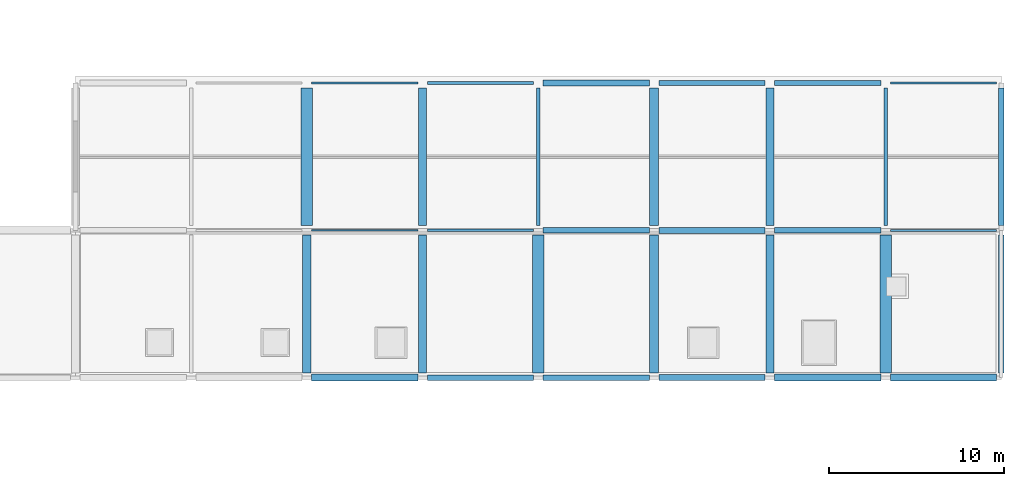
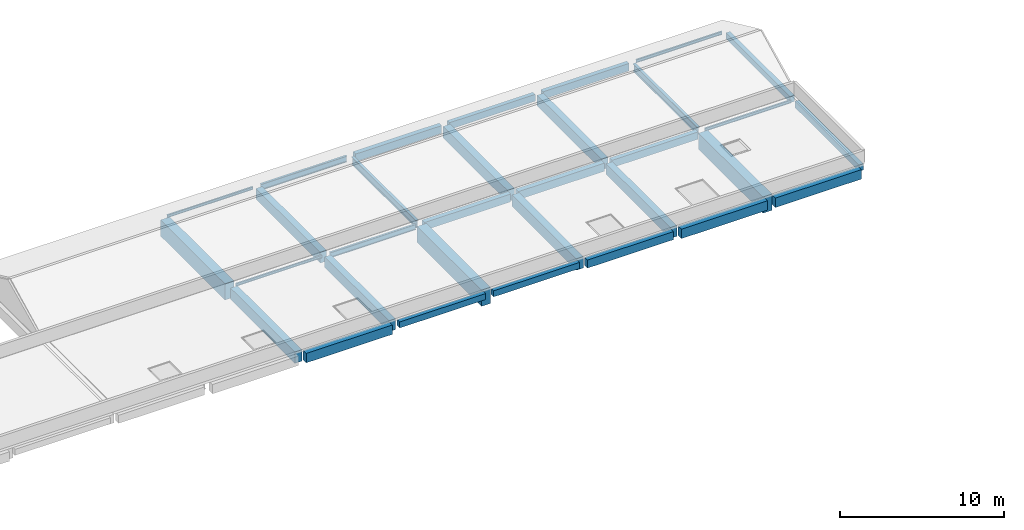
# One storey, part 81 of 124: 32 beams.
"""IFC4 building model written with IfcOpenShell, lengths in metres."""

import ifcopenshell
import ifcopenshell.guid

model = None  # the IFC model being written
_history = None  # IfcOwnerHistory: only IFC2X3 demands one
_inside = {}  # id of a spatial element -> (the spatial element, [elements in it])
_under = {}  # id of a project, library or spatial element -> (it, [spatial elements below it])
_declared = {}  # id of a project -> (the project, [libraries it declares])
_typed = {}  # id of a type object -> (the type object, [elements of that type])
_made_of = {}  # id of a material, layer set ... -> (it, [elements and type objects made of it])


def new_model(schema):
    """Start an empty IFC model of exactly this schema.

    Asked for "IFC4X3", IfcOpenShell would pick the latest addendum, in which some entities
    have other attributes; the version numbers below select the first issue.
    IFC2X3 requires an IfcOwnerHistory on every rooted entity: one is made here for all.
    """
    global model, _history
    if schema == "IFC4X3":
        model = ifcopenshell.file(schema_version=(4, 3, 0, 0))
    else:
        model = ifcopenshell.file(schema=schema)
    _inside.clear()
    _under.clear()
    _declared.clear()
    _typed.clear()
    _made_of.clear()
    _history = None
    if model.schema == "IFC2X3":
        org = make("IfcOrganization", Name="unknown")
        user = make(
            "IfcPersonAndOrganization",
            ThePerson=make("IfcPerson", FamilyName="unknown"),
            TheOrganization=org,
        )
        app = make(
            "IfcApplication",
            ApplicationDeveloper=org,
            Version="unknown",
            ApplicationFullName="unknown",
            ApplicationIdentifier="unknown",
        )
        _history = make(
            "IfcOwnerHistory",
            OwningUser=user,
            OwningApplication=app,
            ChangeAction="ADDED",
            CreationDate=0,
        )
    return model


def make(cls, **values):
    """One entity of the class cls with the attributes given. An attribute that is None is left unset."""
    return model.create_entity(
        cls, **{name: value for name, value in values.items() if value is not None}
    )


def rooted(cls, **values):
    """An entity with a GlobalId (a new one), such as an element, a storey or a relation."""
    return make(cls, GlobalId=ifcopenshell.guid.new(), OwnerHistory=_history, **values)


def si_unit(unit_type, name, prefix=None):
    """IfcSIUnit, for example si_unit("LENGTHUNIT", "METRE", prefix="MILLI")."""
    return make("IfcSIUnit", UnitType=unit_type, Prefix=prefix, Name=name)


def assignment(units):
    """IfcUnitAssignment: the units of a project."""
    return None if units is None else make("IfcUnitAssignment", Units=units)


def point(xyz):
    """IfcCartesianPoint."""
    return None if xyz is None else make("IfcCartesianPoint", Coordinates=xyz)


def direction(xyz):
    """IfcDirection."""
    return None if xyz is None else make("IfcDirection", DirectionRatios=xyz)


def frame(location, z_axis=None, x_axis=None):
    """IfcAxis2Placement3D, a coordinate frame: its origin and axes. An axis left out is left unset."""
    return make(
        "IfcAxis2Placement3D",
        Location=point(location),
        Axis=direction(z_axis),
        RefDirection=direction(x_axis),
    )


def frame_2d(location, x_axis=None):
    """IfcAxis2Placement2D, a coordinate frame in the plane: its origin and x axis."""
    return make(
        "IfcAxis2Placement2D", Location=point(location), RefDirection=direction(x_axis)
    )


def origin():
    """The frame at (0, 0, 0) with its axes left unset."""
    return frame((0.0, 0.0, 0.0))


def origin_2d():
    """The frame at (0, 0) in the plane with its x axis left unset."""
    return frame_2d((0.0, 0.0))


def place(relative_to, where):
    """IfcLocalPlacement: puts the frame where relative to a parent placement (None: the world)."""
    return make(
        "IfcLocalPlacement", PlacementRelTo=relative_to, RelativePlacement=where
    )


def context(
    kind, dimensions, precision=None, world=None, true_north=None, identifier=None
):
    """IfcGeometricRepresentationContext, for example the 3D "Model" context."""
    return make(
        "IfcGeometricRepresentationContext",
        ContextIdentifier=identifier,
        ContextType=kind,
        CoordinateSpaceDimension=dimensions,
        Precision=precision,
        WorldCoordinateSystem=world,
        TrueNorth=true_north,
    )


def subcontext(parent, identifier, kind, view, scale=None):
    """IfcGeometricRepresentationSubContext, for example "Body" below "Model"."""
    return make(
        "IfcGeometricRepresentationSubContext",
        ContextIdentifier=identifier,
        ContextType=kind,
        ParentContext=parent,
        TargetScale=scale,
        TargetView=view,
    )


def project(units=None, contexts=None):
    """IfcProject with its units and contexts."""
    return rooted(
        "IfcProject",
        Name="project",
        RepresentationContexts=contexts,
        UnitsInContext=assignment(units),
    )


def spatial(cls, under=None, at=None, **own):
    """A site, building, storey or space (cls), placed at a placement, below another one or the project."""
    s = rooted(cls, ObjectPlacement=at, **own)
    if under is not None:
        _under.setdefault(under.id(), (under, []))[1].append(s)
    return s


def profile(cls, at=None, kind="AREA", **sizes):
    """A parametric profile (cls). Its sizes go by their IFC names, for example OverallWidth=200.0."""
    return make(cls, ProfileType=kind, Position=at, **sizes)


def rectangle(**sizes):
    """IfcRectangleProfileDef."""
    return profile("IfcRectangleProfileDef", **sizes)


def i_section(**sizes):
    """IfcIShapeProfileDef."""
    return profile("IfcIShapeProfileDef", **sizes)


def extrude(swept, where, along, depth):
    """IfcExtrudedAreaSolid: the profile swept, set in the frame where, extruded along a direction by depth."""
    return make(
        "IfcExtrudedAreaSolid",
        SweptArea=swept,
        Position=where,
        ExtrudedDirection=direction(along),
        Depth=depth,
    )


def shape(context_of_items, identifier, shape_type, items):
    """IfcShapeRepresentation: the items that make up one representation, for example the "Body"."""
    return make(
        "IfcShapeRepresentation",
        ContextOfItems=context_of_items,
        RepresentationIdentifier=identifier,
        RepresentationType=shape_type,
        Items=items,
    )


def material(Name=None, Category=None):
    """IfcMaterial."""
    return make("IfcMaterial", Name=Name, Category=Category)


def material_profile(
    of_material, cross_section, Name=None, Category=None, Priority=None
):
    """IfcMaterialProfile: a cross section and its material."""
    return make(
        "IfcMaterialProfile",
        Name=Name,
        Material=of_material,
        Profile=cross_section,
        Priority=Priority,
        Category=Category,
    )


def profile_set(profiles, Name=None, composite=None):
    """IfcMaterialProfileSet."""
    return make(
        "IfcMaterialProfileSet",
        Name=Name,
        MaterialProfiles=profiles,
        CompositeProfile=composite,
    )


def made_of(thing, what):
    """Note that an element or type object is made of a material, layer set ...; save() writes the relation."""
    if what is not None:
        _made_of.setdefault(what.id(), (what, []))[1].append(thing)
    return thing


def type_object(cls, material=None, **own):
    """A type object (cls), such as IfcWallType, which elements share."""
    return made_of(rooted(cls, **own), material)


def element(
    cls,
    number,
    at=None,
    inside=None,
    cuts=None,
    type_object=None,
    material=None,
    context=None,
    identifier="Body",
    shape_type=None,
    held_by="IfcProductDefinitionShape",
    body=None,
    shapes=None,
    **own,
):
    """One element of the class cls, such as IfcWall. Its Tag is "e" and its number.

    at: its placement. inside: the storey or other place that contains it. cuts: it is an
    opening in that element (IfcRelVoidsElement). A single representation is given by context,
    identifier, shape_type and body (its items); several are given by shapes. held_by: the class
    of the entity that holds the representations. save() writes the other relations.
    """
    e = rooted(cls, Tag="e%d" % number, ObjectPlacement=at, **own)
    if body is not None:
        shapes = [shape(context, identifier, shape_type, body)]
    if shapes is not None:
        e.Representation = make(held_by, Representations=shapes)
    if inside is not None:
        _inside.setdefault(inside.id(), (inside, []))[1].append(e)
    if cuts is not None:
        rooted(
            "IfcRelVoidsElement", RelatingBuildingElement=cuts, RelatedOpeningElement=e
        )
    if type_object is not None:
        _typed.setdefault(type_object.id(), (type_object, []))[1].append(e)
    return made_of(e, material)


def aggregate(whole, parts):
    """IfcRelAggregates: a whole, such as a stair, and the parts it consists of."""
    return rooted("IfcRelAggregates", RelatingObject=whole, RelatedObjects=parts)


def save(model, path):
    """Write the relations noted so far, then the file.

    IfcRelAggregates (storeys below a building ...), IfcRelContainedInSpatialStructure (elements
    in a storey), IfcRelDefinesByType, IfcRelAssociatesMaterial and IfcRelDeclares: one each for
    every whole, place, type object, material and project.
    """
    for whole, parts in _under.values():
        aggregate(whole, parts)
    for where, things in _inside.values():
        rooted(
            "IfcRelContainedInSpatialStructure",
            RelatedElements=things,
            RelatingStructure=where,
        )
    for kind, things in _typed.values():
        rooted("IfcRelDefinesByType", RelatedObjects=things, RelatingType=kind)
    for what, things in _made_of.values():
        rooted("IfcRelAssociatesMaterial", RelatedObjects=things, RelatingMaterial=what)
    for by, libraries in _declared.values():
        rooted("IfcRelDeclares", RelatingContext=by, RelatedDefinitions=libraries)
    model.write(path)


model = new_model("IFC4")

# Units and contexts
model_context = context("Model", 3, precision=1e-05, world=origin(), true_north=direction((0.0, 1.0)))
body_context = subcontext(model_context, "Body", "Model", "MODEL_VIEW")
ifc_project = project(units=[si_unit("LENGTHUNIT", "METRE"), si_unit("AREAUNIT", "SQUARE_METRE"), si_unit("VOLUMEUNIT", "CUBIC_METRE"), si_unit("PLANEANGLEUNIT", "RADIAN"), si_unit("MASSUNIT", "GRAM", prefix="KILO")], contexts=[model_context])

# Site, building, storey
site_placement = place(None, origin())
site = spatial("IfcSite", under=ifc_project, at=site_placement, CompositionType="ELEMENT")
building_placement = place(site_placement, origin())
building = spatial("IfcBuilding", under=site, at=building_placement, Name="Kalluvel Institute of Natural Sciences", CompositionType="ELEMENT")
storey_placement = place(building_placement, frame((0.0, 0.0, 9.89990234375)))
storey = spatial("IfcBuildingStorey", under=building, at=storey_placement, Name="L02", CompositionType="ELEMENT", Elevation=9.89990234375)

# Beams
ifc_material_1 = material(Name="Steel E350 Grade 350", Category="steel")
ifc_material_profile_1 = material_profile(ifc_material_1, i_section(OverallWidth=0.10009765625, OverallDepth=0.199951171875, WebThickness=0.005615234375, FlangeThickness=0.0107421875, FilletRadius=0.010986328125, at=origin_2d()), Name="ISMB 200")
ifc_profile_set_1 = profile_set([ifc_material_profile_1], Name="Steel E350 Grade 350")
beam_type_1 = type_object("IfcBeamType", Name="BM-ISMB200", PredefinedType="BEAM", material=ifc_profile_set_1)
for number, where, z_axis, x_axis, name in (
    (1, (142.675048828125, 111.199951171875, -0.419921875), (1.0, 0.0, 0.0), (0.0, 1.0, 0.0), "L02 girder GIR-L02-EW-X1424-Y1112"),
    (2, (142.675048828125, 119.60009765625, -0.419921875), (1.0, 0.0, 0.0), (0.0, 1.0, 0.0), "L02 girder GIR-L02-EW-X1424-Y1196"),
):
    element("IfcBeam", number, at=place(storey_placement, frame(where, z_axis=z_axis, x_axis=x_axis)), inside=storey, type_object=beam_type_1, Name=name, PredefinedType="BEAM", context=body_context, shape_type="SweptSolid", body=[
        extrude(i_section(OverallWidth=0.10009765625, OverallDepth=0.199951171875, WebThickness=0.005615234375, FlangeThickness=0.0107421875, FilletRadius=0.010986328125, at=origin_2d()), origin(), (0.0, 0.0, 1.0), 6.050048828125),
    ])
ifc_material_profile_2 = material_profile(ifc_material_1, i_section(OverallWidth=0.110107421875, OverallDepth=0.22509765625, WebThickness=0.006591796875, FlangeThickness=0.01171875, FilletRadius=0.011962890625, at=origin_2d()), Name="ISMB 225")
ifc_profile_set_2 = profile_set([ifc_material_profile_2], Name="Steel E350 Grade 350")
beam_type_2 = type_object("IfcBeamType", Name="BM-ISMB225", PredefinedType="BEAM", material=ifc_profile_set_2)
for number, where, z_axis, x_axis, name in (
    (3, (175.675048828125, 111.199951171875, -0.432373046875), (1.0, 0.0, 0.0), (0.0, 1.0, 0.0), "L02 girder GIR-L02-EW-X1754-Y1112"),
    (4, (175.675048828125, 119.60009765625, -0.432373046875), (1.0, 0.0, 0.0), (0.0, 1.0, 0.0), "L02 girder GIR-L02-EW-X1754-Y1196"),
):
    element("IfcBeam", number, at=place(storey_placement, frame(where, z_axis=z_axis, x_axis=x_axis)), inside=storey, type_object=beam_type_2, Name=name, PredefinedType="BEAM", context=body_context, shape_type="SweptSolid", body=[
        extrude(i_section(OverallWidth=0.110107421875, OverallDepth=0.22509765625, WebThickness=0.006591796875, FlangeThickness=0.01171875, FilletRadius=0.011962890625, at=origin_2d()), origin(), (0.0, 0.0, 1.0), 6.050048828125),
    ])
ifc_material_profile_3 = material_profile(ifc_material_1, i_section(OverallWidth=0.139892578125, OverallDepth=0.39990234375, WebThickness=0.0087890625, FlangeThickness=0.01611328125, FilletRadius=0.013916015625, at=origin_2d()), Name="ISMB 400")
ifc_profile_set_3 = profile_set([ifc_material_profile_3], Name="Steel E350 Grade 350")
beam_type_3 = type_object("IfcBeamType", Name="BM-ISMB400", PredefinedType="BEAM", material=ifc_profile_set_3)
beam_1_placement = place(storey_placement, frame((149.27490234375, 111.199951171875, -0.52001953125), z_axis=(1.0, 0.0, 0.0), x_axis=(0.0, 1.0, 0.0)))
element("IfcBeam", 5, at=beam_1_placement, inside=storey, type_object=beam_type_3, Name="L02 girder GIR-L02-EW-X1490-Y1112", PredefinedType="BEAM", context=body_context, shape_type="SweptSolid", body=[
    extrude(i_section(OverallWidth=0.139892578125, OverallDepth=0.39990234375, WebThickness=0.0087890625, FlangeThickness=0.01611328125, FilletRadius=0.013916015625, at=origin_2d()), origin(), (0.0, 0.0, 1.0), 6.050048828125),
])
ifc_material_profile_4 = material_profile(ifc_material_1, i_section(OverallWidth=0.14990234375, OverallDepth=0.449951171875, WebThickness=0.009521484375, FlangeThickness=0.017333984375, FilletRadius=0.014892578125, at=origin_2d()), Name="ISMB 450")
ifc_profile_set_4 = profile_set([ifc_material_profile_4], Name="Steel E350 Grade 350")
beam_type_4 = type_object("IfcBeamType", Name="BM-ISMB450", PredefinedType="BEAM", material=ifc_profile_set_4)
beam_2_placement = place(storey_placement, frame((149.27490234375, 119.60009765625, -0.544921875), z_axis=(1.0, 0.0, 0.0), x_axis=(0.0, 1.0, 0.0)))
element("IfcBeam", 6, at=beam_2_placement, inside=storey, type_object=beam_type_4, Name="L02 girder GIR-L02-EW-X1490-Y1196", PredefinedType="BEAM", context=body_context, shape_type="SweptSolid", body=[
    extrude(i_section(OverallWidth=0.14990234375, OverallDepth=0.449951171875, WebThickness=0.009521484375, FlangeThickness=0.017333984375, FilletRadius=0.014892578125, at=origin_2d()), origin(), (0.0, 0.0, 1.0), 6.050048828125),
])
ifc_material_profile_5 = material_profile(ifc_material_1, i_section(OverallWidth=0.18994140625, OverallDepth=0.550048828125, WebThickness=0.01123046875, FlangeThickness=0.019287109375, FilletRadius=0.01806640625, at=origin_2d()), Name="ISMB 550")
ifc_profile_set_5 = profile_set([ifc_material_profile_5], Name="Steel E350 Grade 350")
beam_type_5 = type_object("IfcBeamType", Name="BM-ISMB550", PredefinedType="BEAM", material=ifc_profile_set_5)
for number, where, z_axis, x_axis, name in (
    (7, (155.60009765625, 111.47509765625, -0.594970703125), (0.0, 1.0, 0.0), (-1.0, 0.0, 0.0), "L02 girder GIR-L02-NS-X1556-Y1112"),
    (8, (175.39990234375, 111.47509765625, -0.594970703125), (0.0, 1.0, 0.0), (-1.0, 0.0, 0.0), "L02 girder GIR-L02-NS-X1754-Y1112"),
):
    element("IfcBeam", number, at=place(storey_placement, frame(where, z_axis=z_axis, x_axis=x_axis)), inside=storey, type_object=beam_type_5, Name=name, PredefinedType="BEAM", context=body_context, shape_type="SweptSolid", body=[
        extrude(i_section(OverallWidth=0.18994140625, OverallDepth=0.550048828125, WebThickness=0.01123046875, FlangeThickness=0.019287109375, FilletRadius=0.01806640625, at=origin_2d()), origin(), (0.0, 0.0, 1.0), 7.849853515625),
    ])
ifc_material_2 = material(Name="Concrete M40", Category="concrete")
ifc_material_profile_6 = material_profile(ifc_material_2, rectangle(XDim=0.280029296875, YDim=0.5, at=origin_2d()), Name="RCB 280x500")
ifc_profile_set_6 = profile_set([ifc_material_profile_6], Name="Concrete M40")
beam_type_6 = type_object("IfcBeamType", Name="BM-RC280x500", PredefinedType="BEAM", material=ifc_profile_set_6)
beam_3_placement = place(storey_placement, frame((162.47509765625, 119.60009765625, -0.56982421875), z_axis=(1.0, 0.0, 0.0), x_axis=(0.0, 1.0, 0.0)))
element("IfcBeam", 9, at=beam_3_placement, inside=storey, type_object=beam_type_6, Name="L02 girder GIR-L02-EW-X1622-Y1196", PredefinedType="BEAM", context=body_context, shape_type="SweptSolid", body=[
    extrude(rectangle(XDim=0.280029296875, YDim=0.5, at=origin_2d()), origin(), (0.0, 0.0, 1.0), 6.0498046875),
])
ifc_material_profile_7 = material_profile(ifc_material_2, rectangle(XDim=0.300048828125, YDim=0.550048828125, at=origin_2d()), Name="RCB 300x550")
ifc_profile_set_7 = profile_set([ifc_material_profile_7], Name="Concrete M40")
beam_type_7 = type_object("IfcBeamType", Name="BM-RC300x550", PredefinedType="BEAM", material=ifc_profile_set_7)
for number, where, z_axis, x_axis, name in (
    (10, (169.074951171875, 111.199951171875, -0.594970703125), (1.0, 0.0, 0.0), (0.0, 1.0, 0.0), "L02 girder GIR-L02-EW-X1688-Y1112"),
    (11, (169.074951171875, 119.60009765625, -0.594970703125), (1.0, 0.0, 0.0), (0.0, 1.0, 0.0), "L02 girder GIR-L02-EW-X1688-Y1196"),
):
    element("IfcBeam", number, at=place(storey_placement, frame(where, z_axis=z_axis, x_axis=x_axis)), inside=storey, type_object=beam_type_7, Name=name, PredefinedType="BEAM", context=body_context, shape_type="SweptSolid", body=[
        extrude(rectangle(XDim=0.300048828125, YDim=0.550048828125, at=origin_2d()), origin(), (0.0, 0.0, 1.0), 6.050048828125),
    ])
ifc_material_profile_8 = material_profile(ifc_material_2, rectangle(XDim=0.320068359375, YDim=0.580078125, at=origin_2d()), Name="RCB 320x580")
ifc_profile_set_8 = profile_set([ifc_material_profile_8], Name="Concrete M40")
beam_type_8 = type_object("IfcBeamType", Name="BM-RC320x580", PredefinedType="BEAM", material=ifc_profile_set_8)
for number, where, z_axis, x_axis, name in (
    (12, (155.875, 111.199951171875, -0.60986328125), (1.0, 0.0, 0.0), (0.0, 1.0, 0.0), "L02 girder GIR-L02-EW-X1556-Y1112"),
    (13, (155.875, 119.60009765625, -0.60986328125), (1.0, 0.0, 0.0), (0.0, 1.0, 0.0), "L02 girder GIR-L02-EW-X1556-Y1196"),
):
    element("IfcBeam", number, at=place(storey_placement, frame(where, z_axis=z_axis, x_axis=x_axis)), inside=storey, type_object=beam_type_8, Name=name, PredefinedType="BEAM", context=body_context, shape_type="SweptSolid", body=[
        extrude(rectangle(XDim=0.320068359375, YDim=0.580078125, at=origin_2d()), origin(), (0.0, 0.0, 1.0), 6.050048828125),
    ])
ifc_material_profile_9 = material_profile(ifc_material_2, rectangle(XDim=0.35009765625, YDim=0.60009765625, at=origin_2d()), Name="RCB 350x600")
ifc_profile_set_9 = profile_set([ifc_material_profile_9], Name="Concrete M40")
beam_type_9 = type_object("IfcBeamType", Name="BM-RC350x600", PredefinedType="BEAM", material=ifc_profile_set_9)
beam_4_placement = place(storey_placement, frame((162.47509765625, 111.199951171875, -0.619873046875), z_axis=(1.0, 0.0, 0.0), x_axis=(0.0, 1.0, 0.0)))
element("IfcBeam", 14, at=beam_4_placement, inside=storey, type_object=beam_type_9, Name="L02 girder GIR-L02-EW-X1622-Y1112", PredefinedType="BEAM", context=body_context, shape_type="SweptSolid", body=[
    extrude(rectangle(XDim=0.35009765625, YDim=0.60009765625, at=origin_2d()), origin(), (0.0, 0.0, 1.0), 6.0498046875),
])
ifc_material_profile_10 = material_profile(ifc_material_2, rectangle(XDim=0.449951171875, YDim=0.800048828125, at=origin_2d()), Name="RCB 450x800")
ifc_profile_set_10 = profile_set([ifc_material_profile_10], Name="Concrete M40")
beam_type_10 = type_object("IfcBeamType", Name="BM-RC450x800", PredefinedType="BEAM", material=ifc_profile_set_10)
beam_5_placement = place(storey_placement, frame((149.0, 103.074951171875, -0.719970703125), z_axis=(0.0, 1.0, 0.0), x_axis=(-1.0, 0.0, 0.0)))
element("IfcBeam", 15, at=beam_5_placement, inside=storey, type_object=beam_type_10, Name="L02 girder GIR-L02-NS-X1490-Y1028", PredefinedType="BEAM", context=body_context, shape_type="SweptSolid", body=[
    extrude(rectangle(XDim=0.449951171875, YDim=0.800048828125, at=origin_2d()), origin(), (0.0, 0.0, 1.0), 7.85009765625),
])
beam_6_placement = place(storey_placement, frame((149.0, 111.47509765625, -0.719970703125), z_axis=(0.0, 1.0, 0.0), x_axis=(-1.0, 0.0, 0.0)))
element("IfcBeam", 16, at=beam_6_placement, inside=storey, type_object=beam_type_10, Name="L02 girder GIR-L02-NS-X1490-Y1112", PredefinedType="BEAM", context=body_context, shape_type="SweptSolid", body=[
    extrude(rectangle(XDim=0.449951171875, YDim=0.800048828125, at=origin_2d()), origin(), (0.0, 0.0, 1.0), 7.849853515625),
])
beam_7_placement = place(storey_placement, frame((168.800048828125, 103.074951171875, -0.719970703125), z_axis=(0.0, 1.0, 0.0), x_axis=(-1.0, 0.0, 0.0)))
element("IfcBeam", 17, at=beam_7_placement, inside=storey, type_object=beam_type_10, Name="L02 girder GIR-L02-NS-X1688-Y1028", PredefinedType="BEAM", context=body_context, shape_type="SweptSolid", body=[
    extrude(rectangle(XDim=0.449951171875, YDim=0.800048828125, at=origin_2d()), origin(), (0.0, 0.0, 1.0), 7.85009765625),
])
beam_8_placement = place(storey_placement, frame((168.800048828125, 111.47509765625, -0.719970703125), z_axis=(0.0, 1.0, 0.0), x_axis=(-1.0, 0.0, 0.0)))
element("IfcBeam", 18, at=beam_8_placement, inside=storey, type_object=beam_type_10, Name="L02 girder GIR-L02-NS-X1688-Y1112", PredefinedType="BEAM", context=body_context, shape_type="SweptSolid", body=[
    extrude(rectangle(XDim=0.449951171875, YDim=0.800048828125, at=origin_2d()), origin(), (0.0, 0.0, 1.0), 7.849853515625),
])
ifc_material_3 = material(Name="Concrete M50", Category="concrete")
ifc_material_profile_11 = material_profile(ifc_material_3, rectangle(XDim=0.5, YDim=0.85009765625, at=origin_2d()), Name="RCB 500x850")
ifc_profile_set_11 = profile_set([ifc_material_profile_11], Name="Concrete M50")
beam_type_11 = type_object("IfcBeamType", Name="BM-RC500x850", PredefinedType="BEAM", material=ifc_profile_set_11)
for number, where, z_axis, x_axis, name in (
    (19, (142.39990234375, 103.074951171875, -0.744873046875), (0.0, 1.0, 0.0), (-1.0, 0.0, 0.0), "L02 girder GIR-L02-NS-X1424-Y1028"),
    (20, (162.199951171875, 103.074951171875, -0.744873046875), (0.0, 1.0, 0.0), (-1.0, 0.0, 0.0), "L02 girder GIR-L02-NS-X1622-Y1028"),
):
    element("IfcBeam", number, at=place(storey_placement, frame(where, z_axis=z_axis, x_axis=x_axis)), inside=storey, type_object=beam_type_11, Name=name, PredefinedType="BEAM", context=body_context, shape_type="SweptSolid", body=[
        extrude(rectangle(XDim=0.5, YDim=0.85009765625, at=origin_2d()), origin(), (0.0, 0.0, 1.0), 7.85009765625),
    ])
beam_9_placement = place(storey_placement, frame((162.199951171875, 111.47509765625, -0.744873046875), z_axis=(0.0, 1.0, 0.0), x_axis=(-1.0, 0.0, 0.0)))
element("IfcBeam", 21, at=beam_9_placement, inside=storey, type_object=beam_type_11, Name="L02 girder GIR-L02-NS-X1622-Y1112", PredefinedType="BEAM", context=body_context, shape_type="SweptSolid", body=[
    extrude(rectangle(XDim=0.5, YDim=0.85009765625, at=origin_2d()), origin(), (0.0, 0.0, 1.0), 7.849853515625),
])
ifc_material_profile_12 = material_profile(ifc_material_3, rectangle(XDim=0.64990234375, YDim=1.199951171875, at=origin_2d()), Name="RCB 650x1200")
ifc_profile_set_12 = profile_set([ifc_material_profile_12], Name="Concrete M50")
beam_type_12 = type_object("IfcBeamType", Name="BM-RC650x1200", PredefinedType="BEAM", material=ifc_profile_set_12)
beam_10_placement = place(storey_placement, frame((142.39990234375, 111.47509765625, -0.919921875), z_axis=(0.0, 1.0, 0.0), x_axis=(-1.0, 0.0, 0.0)))
element("IfcBeam", 22, at=beam_10_placement, inside=storey, type_object=beam_type_12, Name="L02 girder GIR-L02-NS-X1424-Y1112", PredefinedType="BEAM", context=body_context, shape_type="SweptSolid", body=[
    extrude(rectangle(XDim=0.64990234375, YDim=1.199951171875, at=origin_2d()), origin(), (0.0, 0.0, 1.0), 7.849853515625),
])
for number, where, z_axis, x_axis, name in (
    (23, (155.60009765625, 103.074951171875, -0.919921875), (0.0, 1.0, 0.0), (-1.0, 0.0, 0.0), "L02 girder GIR-L02-NS-X1556-Y1028"),
    (24, (175.39990234375, 103.074951171875, -0.919921875), (0.0, 1.0, 0.0), (-1.0, 0.0, 0.0), "L02 girder GIR-L02-NS-X1754-Y1028"),
):
    element("IfcBeam", number, at=place(storey_placement, frame(where, z_axis=z_axis, x_axis=x_axis)), inside=storey, type_object=beam_type_12, Name=name, PredefinedType="BEAM", context=body_context, shape_type="SweptSolid", body=[
        extrude(rectangle(XDim=0.64990234375, YDim=1.199951171875, at=origin_2d()), origin(), (0.0, 0.0, 1.0), 7.85009765625),
    ])
ifc_material_profile_13 = material_profile(ifc_material_2, rectangle(XDim=0.300048828125, YDim=0.449951171875, at=origin_2d()), Name="RCB 300x450")
ifc_profile_set_13 = profile_set([ifc_material_profile_13], Name="Concrete M40")
beam_type_13 = type_object("IfcBeamType", Name="SP-RC300x450", PredefinedType="SPANDREL", material=ifc_profile_set_13)
for number, where, z_axis, x_axis, name in (
    (25, (149.27490234375, 102.800048828125, -0.544921875), (1.0, 0.0, 0.0), (0.0, 1.0, 0.0), "L02 girder GIR-L02-EW-X1490-Y1028"),
    (26, (155.875, 102.800048828125, -0.544921875), (1.0, 0.0, 0.0), (0.0, 1.0, 0.0), "L02 girder GIR-L02-EW-X1556-Y1028"),
):
    element("IfcBeam", number, at=place(storey_placement, frame(where, z_axis=z_axis, x_axis=x_axis)), inside=storey, type_object=beam_type_13, Name=name, PredefinedType="SPANDREL", context=body_context, shape_type="SweptSolid", body=[
        extrude(rectangle(XDim=0.300048828125, YDim=0.449951171875, at=origin_2d()), origin(), (0.0, 0.0, 1.0), 6.050048828125),
    ])
beam_11_placement = place(storey_placement, frame((182.0, 103.074951171875, -0.544921875), z_axis=(0.0, 1.0, 0.0), x_axis=(-1.0, 0.0, 0.0)))
element("IfcBeam", 27, at=beam_11_placement, inside=storey, type_object=beam_type_13, Name="L02 girder GIR-L02-NS-X1820-Y1028", PredefinedType="SPANDREL", context=body_context, shape_type="SweptSolid", body=[
    extrude(rectangle(XDim=0.300048828125, YDim=0.449951171875, at=origin_2d()), origin(), (0.0, 0.0, 1.0), 7.85009765625),
])
beam_12_placement = place(storey_placement, frame((182.0, 111.47509765625, -0.544921875), z_axis=(0.0, 1.0, 0.0), x_axis=(-1.0, 0.0, 0.0)))
element("IfcBeam", 28, at=beam_12_placement, inside=storey, type_object=beam_type_13, Name="L02 girder GIR-L02-NS-X1820-Y1112", PredefinedType="SPANDREL", context=body_context, shape_type="SweptSolid", body=[
    extrude(rectangle(XDim=0.300048828125, YDim=0.449951171875, at=origin_2d()), origin(), (0.0, 0.0, 1.0), 7.849853515625),
])
ifc_material_profile_14 = material_profile(ifc_material_2, rectangle(XDim=0.35009765625, YDim=0.60009765625, at=origin_2d()), Name="RCB 350x600")
ifc_profile_set_14 = profile_set([ifc_material_profile_14], Name="Concrete M40")
beam_type_14 = type_object("IfcBeamType", Name="SP-RC350x600", PredefinedType="SPANDREL", material=ifc_profile_set_14)
beam_13_placement = place(storey_placement, frame((162.47509765625, 102.800048828125, -0.619873046875), z_axis=(1.0, 0.0, 0.0), x_axis=(0.0, 1.0, 0.0)))
element("IfcBeam", 29, at=beam_13_placement, inside=storey, type_object=beam_type_14, Name="L02 girder GIR-L02-EW-X1622-Y1028", PredefinedType="SPANDREL", context=body_context, shape_type="SweptSolid", body=[
    extrude(rectangle(XDim=0.35009765625, YDim=0.60009765625, at=origin_2d()), origin(), (0.0, 0.0, 1.0), 6.0498046875),
])
ifc_material_profile_15 = material_profile(ifc_material_2, rectangle(XDim=0.39990234375, YDim=0.699951171875, at=origin_2d()), Name="RCB 400x700")
ifc_profile_set_15 = profile_set([ifc_material_profile_15], Name="Concrete M40")
beam_type_15 = type_object("IfcBeamType", Name="SP-RC400x700", PredefinedType="SPANDREL", material=ifc_profile_set_15)
for number, where, z_axis, x_axis, name in (
    (30, (142.675048828125, 102.800048828125, -0.669921875), (1.0, 0.0, 0.0), (0.0, 1.0, 0.0), "L02 girder GIR-L02-EW-X1424-Y1028"),
    (31, (169.074951171875, 102.800048828125, -0.669921875), (1.0, 0.0, 0.0), (0.0, 1.0, 0.0), "L02 girder GIR-L02-EW-X1688-Y1028"),
    (32, (175.675048828125, 102.800048828125, -0.669921875), (1.0, 0.0, 0.0), (0.0, 1.0, 0.0), "L02 girder GIR-L02-EW-X1754-Y1028"),
):
    element("IfcBeam", number, at=place(storey_placement, frame(where, z_axis=z_axis, x_axis=x_axis)), inside=storey, type_object=beam_type_15, Name=name, PredefinedType="SPANDREL", context=body_context, shape_type="SweptSolid", body=[
        extrude(rectangle(XDim=0.39990234375, YDim=0.699951171875, at=origin_2d()), origin(), (0.0, 0.0, 1.0), 6.050048828125),
    ])

save(model, "model.ifc")
